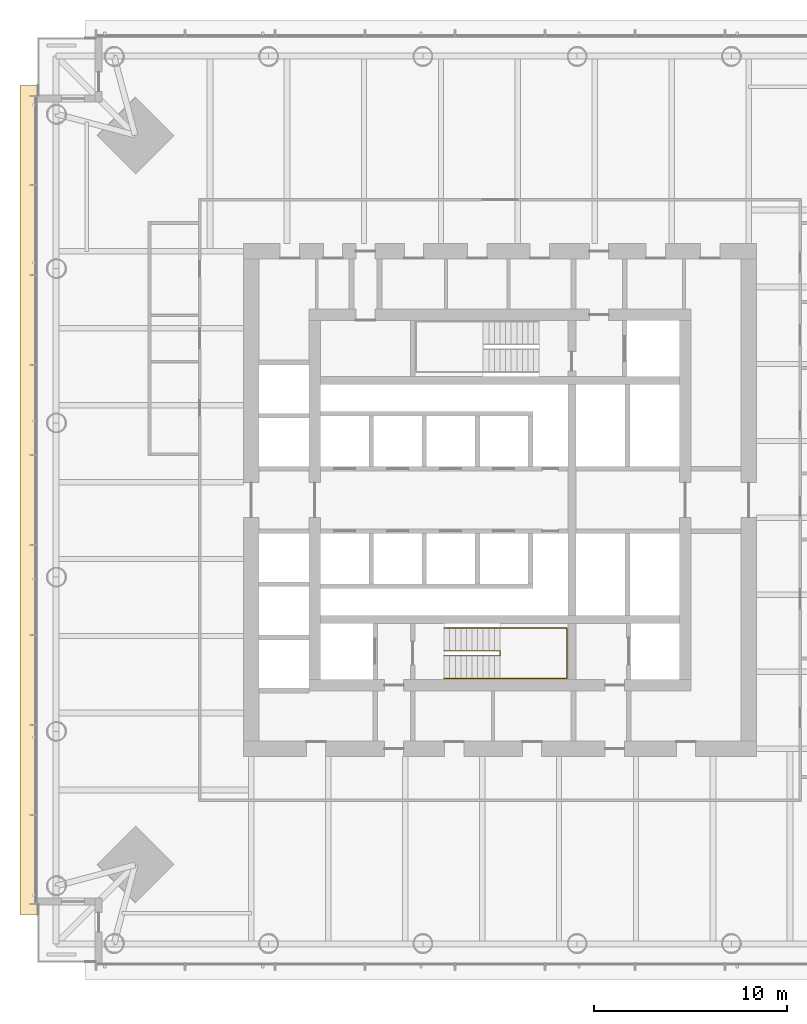
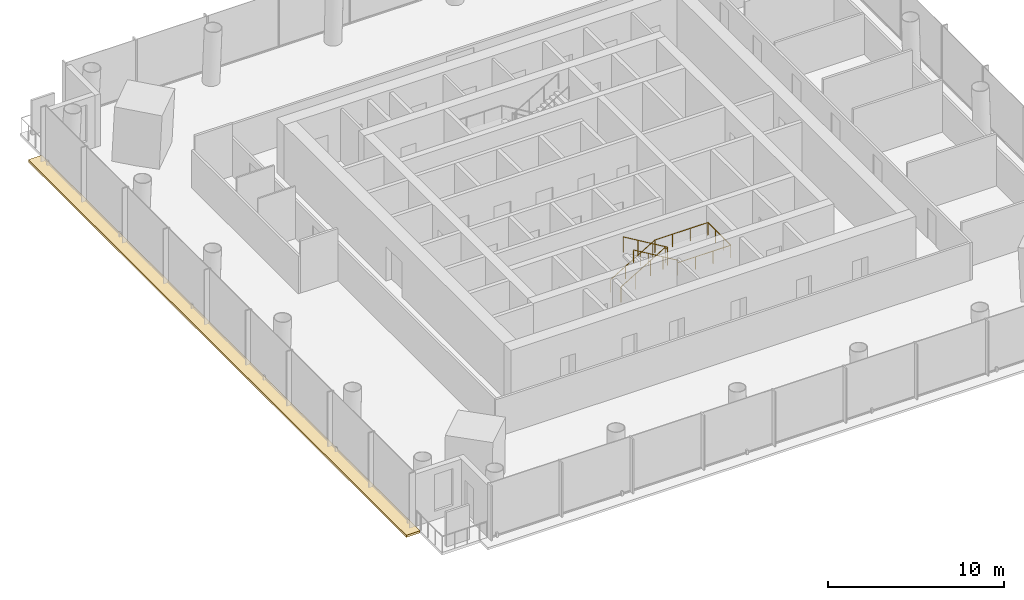
# One storey, part 23 of 26: 2 railings, 1 covering.
"""IFC4 building model written with IfcOpenShell, lengths in metres."""

from ifc_helpers import new_model, si_unit, direction, frame, origin, origin_2d, place, context, subcontext, project, spatial, polyline, circle, outline, extrude, material, layer, layer_set, type_object, element, save


model = new_model("IFC4")

# Units and contexts
model_context = context("Model", 3, precision=1e-05, world=origin(), true_north=direction((0.0, 1.0)))
body_context = subcontext(model_context, "Body", "Model", "MODEL_VIEW")
ifc_project = project(units=[si_unit("LENGTHUNIT", "METRE"), si_unit("AREAUNIT", "SQUARE_METRE"), si_unit("VOLUMEUNIT", "CUBIC_METRE"), si_unit("PLANEANGLEUNIT", "RADIAN"), si_unit("MASSUNIT", "GRAM", prefix="KILO")], contexts=[model_context])

# Site, building, storey
site_placement = place(None, origin())
site = spatial("IfcSite", under=ifc_project, at=site_placement, CompositionType="ELEMENT")
building_placement = place(site_placement, origin())
building = spatial("IfcBuilding", under=site, at=building_placement, Name="Ostroluk Exchange", CompositionType="ELEMENT")
storey_placement = place(building_placement, frame((0.0, 0.0, 51.39990234375)))
storey = spatial("IfcBuildingStorey", under=building, at=storey_placement, Name="L12", CompositionType="ELEMENT", Elevation=51.39990234375)

# Covering
ifc_material_1 = material(Name="Insulated steel roof deck with membrane, laid to falls, aluminium coping", Category="steel")
ifc_layer = layer(ifc_material_1, 0.14990234375)
ifc_layer_set = layer_set([ifc_layer], Name="Setback maintenance roof")
covering_type = type_object("IfcCoveringType", Name="Setback maintenance roof", PredefinedType="ROOFING", material=ifc_layer_set)
covering_placement = place(storey_placement, frame((0.0, 0.0, -0.14990234375)))
element("IfcCovering", 1, at=covering_placement, inside=storey, type_object=covering_type, Name="Maintenance roof, setback L12 west", PredefinedType="ROOFING", context=body_context, shape_type="SweptSolid", body=[
    extrude(outline(polyline([(20.10009765625, 67.5), (21.0, 67.5), (21.0, 24.5), (20.10009765625, 24.5), (20.10009765625, 67.5)])), origin(), (0.0, 0.0, 1.0), 0.14990234375),
])

# Railings
ifc_material_2 = material(Name="Steel S355", Category="steel")
railing_type_1 = type_object("IfcRailingType", Name="Stair guard 1100", PredefinedType="GUARDRAIL", material=ifc_material_2)
railing_1_placement = place(storey_placement, frame((42.10009765625, 38.179931640625, 0.1728515625)))
element("IfcRailing", 2, at=railing_1_placement, inside=storey, type_object=railing_type_1, Name="Stair T1-S1 guard L12", PredefinedType="GUARDRAIL", context=body_context, shape_type="SweptSolid", body=[
    extrude(circle(Radius=0.02392578125, at=origin_2d()), frame((0.0, 0.0, 1.076171875), z_axis=(0.859141464434, 0.0, 0.511738159696), x_axis=(0.0, 1.0, 0.0)), (0.0, 0.0, 1.0), 3.375244140625),
    extrude(circle(Radius=0.02392578125, at=origin_2d()), frame((2.89990234375, 0.0, 2.80322265625), z_axis=(0.0, -1.0, 0.0), x_axis=(1.0, 0.0, 0.0)), (0.0, 0.0, 1.0), 0.260009765625),
    extrude(circle(Radius=0.02392578125, at=origin_2d()), frame((2.89990234375, -0.260009765625, 2.80322265625), z_axis=(0.0, 0.0, 1.0), x_axis=(1.0, 0.0, 0.0)), (0.0, 0.0, 1.0), 0.172607421875),
    extrude(circle(Radius=0.02392578125, at=origin_2d()), frame((2.89990234375, -0.260009765625, 2.97607421875), z_axis=(-0.859141464434, 0.0, 0.511738159696), x_axis=(0.0, -1.0, 0.0)), (0.0, 0.0, 1.0), 3.375244140625),
    extrude(circle(Radius=0.02099609375, at=origin_2d()), origin(), (0.0, 0.0, 1.0), 1.052001953125),
    extrude(circle(Radius=0.02099609375, at=origin_2d()), frame((0.966552734375, 0.0, 0.57568359375)), (0.0, 0.0, 1.0), 1.052001953125),
    extrude(circle(Radius=0.02099609375, at=origin_2d()), frame((1.933349609375, 0.0, 1.151611328125)), (0.0, 0.0, 1.0), 1.052001953125),
    extrude(circle(Radius=0.02099609375, at=origin_2d()), frame((2.89990234375, 0.0, 1.727294921875)), (0.0, 0.0, 1.0), 1.052001953125),
    extrude(circle(Radius=0.02099609375, at=origin_2d()), frame((2.89990234375, -0.260009765625, 1.727294921875)), (0.0, 0.0, 1.0), 1.052001953125),
    extrude(circle(Radius=0.02099609375, at=origin_2d()), frame((2.89990234375, -0.260009765625, 1.89990234375)), (0.0, 0.0, 1.0), 1.052001953125),
    extrude(circle(Radius=0.02099609375, at=origin_2d()), frame((1.933349609375, -0.260009765625, 2.4755859375)), (0.0, 0.0, 1.0), 1.052001953125),
    extrude(circle(Radius=0.02099609375, at=origin_2d()), frame((0.966552734375, -0.260009765625, 3.051513671875)), (0.0, 0.0, 1.0), 1.052001953125),
    extrude(circle(Radius=0.02099609375, at=origin_2d()), frame((0.0, -0.260009765625, 3.627197265625)), (0.0, 0.0, 1.0), 1.052001953125),
])
ifc_material_3 = material(Name="Stainless steel", Category="steel")
railing_type_2 = type_object("IfcRailingType", Name="Stair handrail 900", PredefinedType="HANDRAIL", material=ifc_material_3)
railing_2_placement = place(storey_placement, frame((42.10009765625, 39.35009765625, 0.1728515625)))
element("IfcRailing", 3, at=railing_2_placement, inside=storey, type_object=railing_type_2, Name="Stair T1-S1 handrail L12", PredefinedType="HANDRAIL", context=body_context, shape_type="SweptSolid", body=[
    extrude(circle(Radius=0.02392578125, at=origin_2d()), frame((0.0, 0.0, 0.8759765625), z_axis=(0.859141464434, 0.0, 0.511738159696), x_axis=(0.0, 1.0, 0.0)), (0.0, 0.0, 1.0), 3.375244140625),
    extrude(circle(Radius=0.02392578125, at=origin_2d()), frame((2.89990234375, 0.0, 2.60302734375), z_axis=(1.0, 0.0, 0.0), x_axis=(0.0, 1.0, 0.0)), (0.0, 0.0, 1.0), 3.47998046875),
    extrude(circle(Radius=0.02392578125, at=origin_2d()), frame((6.3798828125, 0.0, 2.60302734375), z_axis=(0.0, -1.0, 0.0), x_axis=(1.0, 0.0, 0.0)), (0.0, 0.0, 1.0), 2.60009765625),
    extrude(circle(Radius=0.02392578125, at=origin_2d()), frame((6.3798828125, -2.60009765625, 2.60302734375), z_axis=(-1.0, 0.0, 0.0), x_axis=(0.0, -1.0, 0.0)), (0.0, 0.0, 1.0), 3.47998046875),
    extrude(circle(Radius=0.02392578125, at=origin_2d()), frame((2.89990234375, -2.60009765625, 2.60302734375), z_axis=(0.0, 0.0, 1.0), x_axis=(1.0, 0.0, 0.0)), (0.0, 0.0, 1.0), 0.172607421875),
    extrude(circle(Radius=0.02392578125, at=origin_2d()), frame((2.89990234375, -2.60009765625, 2.77587890625), z_axis=(-0.859141464434, 0.0, 0.511738159696), x_axis=(0.0, -1.0, 0.0)), (0.0, 0.0, 1.0), 3.375244140625),
    extrude(circle(Radius=0.02099609375, at=origin_2d()), origin(), (0.0, 0.0, 1.0), 0.851806640625),
    extrude(circle(Radius=0.02099609375, at=origin_2d()), frame((0.966552734375, 0.0, 0.57568359375)), (0.0, 0.0, 1.0), 0.851806640625),
    extrude(circle(Radius=0.02099609375, at=origin_2d()), frame((1.933349609375, 0.0, 1.151611328125)), (0.0, 0.0, 1.0), 0.851806640625),
    extrude(circle(Radius=0.02099609375, at=origin_2d()), frame((2.89990234375, 0.0, 1.727294921875)), (0.0, 0.0, 1.0), 0.851806640625),
    extrude(circle(Radius=0.02099609375, at=origin_2d()), frame((4.059814453125, 0.0, 1.727294921875)), (0.0, 0.0, 1.0), 0.851806640625),
    extrude(circle(Radius=0.02099609375, at=origin_2d()), frame((5.219970703125, 0.0, 1.727294921875)), (0.0, 0.0, 1.0), 0.851806640625),
    extrude(circle(Radius=0.02099609375, at=origin_2d()), frame((6.3798828125, 0.0, 1.727294921875)), (0.0, 0.0, 1.0), 0.851806640625),
    extrude(circle(Radius=0.02099609375, at=origin_2d()), frame((6.3798828125, -0.86669921875, 1.727294921875)), (0.0, 0.0, 1.0), 0.851806640625),
    extrude(circle(Radius=0.02099609375, at=origin_2d()), frame((6.3798828125, -1.7333984375, 1.727294921875)), (0.0, 0.0, 1.0), 0.851806640625),
    extrude(circle(Radius=0.02099609375, at=origin_2d()), frame((6.3798828125, -2.60009765625, 1.727294921875)), (0.0, 0.0, 1.0), 0.851806640625),
    extrude(circle(Radius=0.02099609375, at=origin_2d()), frame((5.219970703125, -2.60009765625, 1.727294921875)), (0.0, 0.0, 1.0), 0.851806640625),
    extrude(circle(Radius=0.02099609375, at=origin_2d()), frame((4.059814453125, -2.60009765625, 1.727294921875)), (0.0, 0.0, 1.0), 0.851806640625),
    extrude(circle(Radius=0.02099609375, at=origin_2d()), frame((2.89990234375, -2.60009765625, 1.727294921875)), (0.0, 0.0, 1.0), 0.851806640625),
    extrude(circle(Radius=0.02099609375, at=origin_2d()), frame((2.89990234375, -2.60009765625, 1.89990234375)), (0.0, 0.0, 1.0), 0.851806640625),
    extrude(circle(Radius=0.02099609375, at=origin_2d()), frame((1.933349609375, -2.60009765625, 2.4755859375)), (0.0, 0.0, 1.0), 0.851806640625),
    extrude(circle(Radius=0.02099609375, at=origin_2d()), frame((0.966552734375, -2.60009765625, 3.051513671875)), (0.0, 0.0, 1.0), 0.851806640625),
    extrude(circle(Radius=0.02099609375, at=origin_2d()), frame((0.0, -2.60009765625, 3.627197265625)), (0.0, 0.0, 1.0), 0.851806640625),
])

save(model, "model.ifc")
